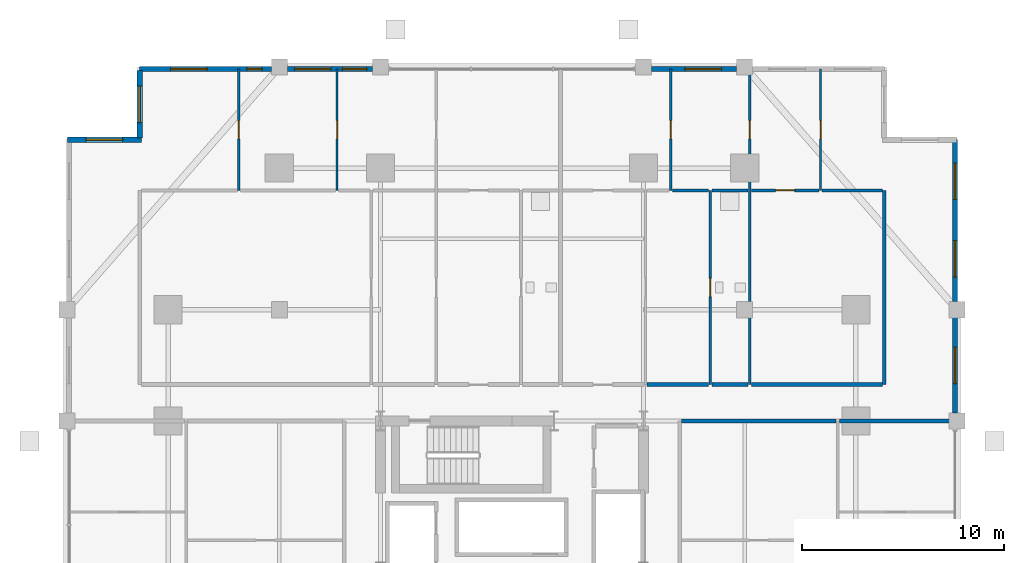
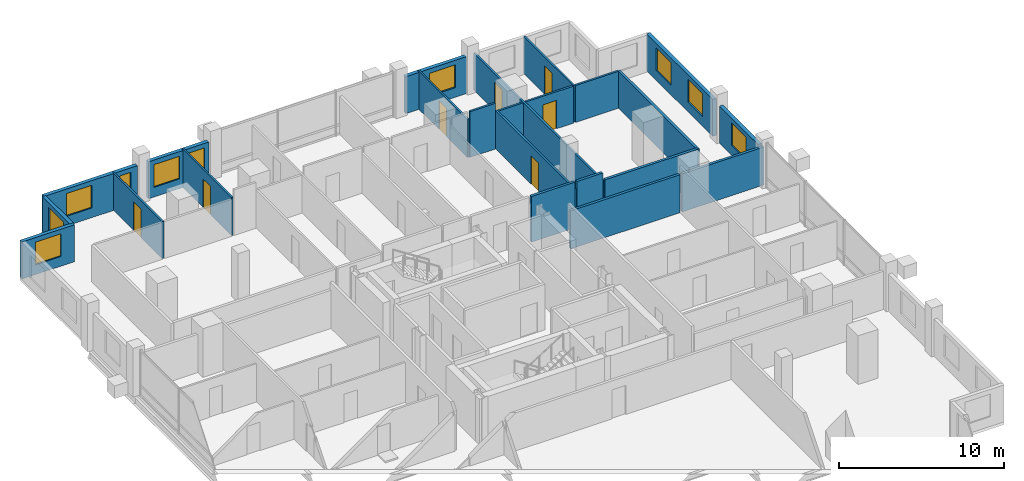
# One storey, part 20 of 23: 23 walls, 10 windows, 7 doors, 17 openings.
"""IFC4 building model written with IfcOpenShell, lengths in metres."""

from ifc_helpers import new_model, si_unit, direction, frame, frame_2d, origin, place, context, subcontext, project, spatial, rectangle, extrude, material, layer, layer_set, type_object, element, fill, save


model = new_model("IFC4")

# Units and contexts
model_context = context("Model", 3, precision=1e-05, world=origin(), true_north=direction((0.0, 1.0)))
body_context = subcontext(model_context, "Body", "Model", "MODEL_VIEW")
ifc_project = project(units=[si_unit("LENGTHUNIT", "METRE"), si_unit("AREAUNIT", "SQUARE_METRE"), si_unit("VOLUMEUNIT", "CUBIC_METRE"), si_unit("PLANEANGLEUNIT", "RADIAN"), si_unit("MASSUNIT", "GRAM", prefix="KILO")], contexts=[model_context])

# Site, building, storey
site_placement = place(None, origin())
site = spatial("IfcSite", under=ifc_project, at=site_placement, CompositionType="ELEMENT")
building_placement = place(site_placement, origin())
building = spatial("IfcBuilding", under=site, at=building_placement, Name="Barlavira Tower and Art Museum", CompositionType="ELEMENT")
storey_placement = place(building_placement, frame((0.0, 0.0, 64.800048828125)))
storey = spatial("IfcBuildingStorey", under=building, at=storey_placement, Name="L15", CompositionType="ELEMENT", Elevation=64.800048828125)

# Wall, opening, door
ifc_material_1 = material(Name="Gypsum acoustic stud partition", Category="gypsum")
ifc_layer_1 = layer(ifc_material_1, 0.1201171875, Name="Gypsum acoustic stud partition")
ifc_layer_set_1 = layer_set([ifc_layer_1], Name="Gypsum acoustic stud partition")
wall_type_1 = type_object("IfcWallType", Name="Apartment Internal Acoustic Partition 120", PredefinedType="PARTITIONING", material=ifc_layer_set_1)
wall_1_placement = place(storey_placement, frame((-13.5, 18.89990234375, 0.0), z_axis=(0.0, 0.0, 1.0), x_axis=(0.0, 1.0, 0.0)))
wall_1 = element("IfcWall", 1, at=wall_1_placement, inside=storey, type_object=wall_type_1, Name="L15 Partition Wall 3", PredefinedType="PARTITIONING", context=body_context, shape_type="SweptSolid", body=[
    extrude(rectangle(XDim=6.0, YDim=0.1201171875, at=frame_2d((3.0, 0.0))), origin(), (0.0, 0.0, 1.0), 2.73583984375),
])
opening_1_placement = place(wall_1_placement, frame((2.550048828125, 0.0, 0.0)))
opening_1 = element("IfcOpeningElement", 2, at=opening_1_placement, cuts=wall_1, Name="Opening D-01", PredefinedType="OPENING", context=body_context, shape_type="SweptSolid", body=[
    extrude(rectangle(XDim=0.89990234375, YDim=2.10009765625, at=frame_2d((0.449951171875, 1.050048828125))), frame((0.0, 0.070068359375, 0.0), z_axis=(0.0, -1.0, 0.0), x_axis=(1.0, 0.0, 0.0)), (0.0, 0.0, 1.0), 0.14013671875),
])
ifc_material_2 = material(Name="Engineered coastal hardwood", Category="wood")
door_type_1 = type_object("IfcDoorType", Name="Internal Bedroom Timber Flush Door 900x2100", OperationType="NOTDEFINED", PredefinedType="DOOR", material=ifc_material_2)
door_1_placement = place(opening_1_placement, origin())
door_1 = element("IfcDoor", 3, at=door_1_placement, inside=storey, type_object=door_type_1, Name="Apartment N1 Bedroom 3 Door", OperationType="SINGLE_SWING_LEFT", OverallHeight=2.10009765625, OverallWidth=0.89990234375, PredefinedType="DOOR", context=body_context, shape_type="SweptSolid", body=[
    extrude(rectangle(XDim=0.89990234375, YDim=2.10009765625, at=frame_2d((0.449951171875, 1.050048828125))), frame((0.0, 0.02490234375, 0.0), z_axis=(0.0, -1.0, 0.0), x_axis=(1.0, 0.0, 0.0)), (0.0, 0.0, 1.0), 0.050048828125),
])
fill(opening_1, door_1)

wall_2_placement = place(storey_placement, frame((-8.64990234375, 18.89990234375, 0.0), z_axis=(0.0, 0.0, 1.0), x_axis=(0.0, 1.0, 0.0)))
wall_2 = element("IfcWall", 4, at=wall_2_placement, inside=storey, type_object=wall_type_1, Name="L15 Partition Wall 4", PredefinedType="PARTITIONING", context=body_context, shape_type="SweptSolid", body=[
    extrude(rectangle(XDim=6.0, YDim=0.1201171875, at=frame_2d((3.0, 0.0))), origin(), (0.0, 0.0, 1.0), 2.81591796875),
])
opening_2_placement = place(wall_2_placement, frame((2.550048828125, 0.0, 0.0)))
opening_2 = element("IfcOpeningElement", 5, at=opening_2_placement, cuts=wall_2, Name="Opening D-01", PredefinedType="OPENING", context=body_context, shape_type="SweptSolid", body=[
    extrude(rectangle(XDim=0.89990234375, YDim=2.10009765625, at=frame_2d((0.449951171875, 1.050048828125))), frame((0.0, 0.070068359375, 0.0), z_axis=(0.0, -1.0, 0.0), x_axis=(1.0, 0.0, 0.0)), (0.0, 0.0, 1.0), 0.14013671875),
])
door_2_placement = place(opening_2_placement, origin())
door_2 = element("IfcDoor", 6, at=door_2_placement, inside=storey, type_object=door_type_1, Name="Apartment N1 Bedroom 2 Door", OperationType="SINGLE_SWING_RIGHT", OverallHeight=2.10009765625, OverallWidth=0.89990234375, PredefinedType="DOOR", context=body_context, shape_type="SweptSolid", body=[
    extrude(rectangle(XDim=0.89990234375, YDim=2.10009765625, at=frame_2d((0.449951171875, 1.050048828125))), frame((0.0, 0.02490234375, 0.0), z_axis=(0.0, -1.0, 0.0), x_axis=(1.0, 0.0, 0.0)), (0.0, 0.0, 1.0), 0.050048828125),
])
fill(opening_2, door_2)

wall_3_placement = place(storey_placement, frame((7.85009765625, 18.89990234375, 0.0), z_axis=(0.0, 0.0, 1.0), x_axis=(0.0, 1.0, 0.0)))
wall_3 = element("IfcWall", 7, at=wall_3_placement, inside=storey, type_object=wall_type_1, Name="L15 Partition Wall 13", PredefinedType="PARTITIONING", context=body_context, shape_type="SweptSolid", body=[
    extrude(rectangle(XDim=6.0, YDim=0.1201171875, at=frame_2d((3.0, 0.0))), origin(), (0.0, 0.0, 1.0), 2.81591796875),
])
opening_3_placement = place(wall_3_placement, frame((2.550048828125, 0.0, 0.0)))
opening_3 = element("IfcOpeningElement", 8, at=opening_3_placement, cuts=wall_3, Name="Opening D-01", PredefinedType="OPENING", context=body_context, shape_type="SweptSolid", body=[
    extrude(rectangle(XDim=0.89990234375, YDim=2.10009765625, at=frame_2d((0.449951171875, 1.050048828125))), frame((0.0, 0.070068359375, 0.0), z_axis=(0.0, -1.0, 0.0), x_axis=(1.0, 0.0, 0.0)), (0.0, 0.0, 1.0), 0.14013671875),
])
door_3_placement = place(opening_3_placement, origin())
door_3 = element("IfcDoor", 9, at=door_3_placement, inside=storey, type_object=door_type_1, Name="Apartment N2 Bedroom 1 Door", OperationType="SINGLE_SWING_LEFT", OverallHeight=2.10009765625, OverallWidth=0.89990234375, PredefinedType="DOOR", context=body_context, shape_type="SweptSolid", body=[
    extrude(rectangle(XDim=0.89990234375, YDim=2.10009765625, at=frame_2d((0.449951171875, 1.050048828125))), frame((0.0, 0.02490234375, 0.0), z_axis=(0.0, -1.0, 0.0), x_axis=(1.0, 0.0, 0.0)), (0.0, 0.0, 1.0), 0.050048828125),
])
fill(opening_3, door_3)

wall_4_placement = place(storey_placement, frame((15.25, 18.89990234375, 0.0), z_axis=(0.0, 0.0, 1.0), x_axis=(0.0, 1.0, 0.0)))
wall_4 = element("IfcWall", 10, at=wall_4_placement, inside=storey, type_object=wall_type_1, Name="L15 Partition Wall 18", PredefinedType="PARTITIONING", context=body_context, shape_type="SweptSolid", body=[
    extrude(rectangle(XDim=6.0, YDim=0.1201171875, at=frame_2d((3.0, 0.0))), origin(), (0.0, 0.0, 1.0), 2.73583984375),
])
opening_4_placement = place(wall_4_placement, frame((2.550048828125, 0.0, 0.0)))
opening_4 = element("IfcOpeningElement", 11, at=opening_4_placement, cuts=wall_4, Name="Opening D-01", PredefinedType="OPENING", context=body_context, shape_type="SweptSolid", body=[
    extrude(rectangle(XDim=0.89990234375, YDim=2.10009765625, at=frame_2d((0.449951171875, 1.050048828125))), frame((0.0, 0.070068359375, 0.0), z_axis=(0.0, -1.0, 0.0), x_axis=(1.0, 0.0, 0.0)), (0.0, 0.0, 1.0), 0.14013671875),
])
door_4_placement = place(opening_4_placement, origin())
door_4 = element("IfcDoor", 12, at=door_4_placement, inside=storey, type_object=door_type_1, Name="Apartment N2 Bedroom 3 Door", OperationType="SINGLE_SWING_LEFT", OverallHeight=2.10009765625, OverallWidth=0.89990234375, PredefinedType="DOOR", context=body_context, shape_type="SweptSolid", body=[
    extrude(rectangle(XDim=0.89990234375, YDim=2.10009765625, at=frame_2d((0.449951171875, 1.050048828125))), frame((0.0, 0.02490234375, 0.0), z_axis=(0.0, -1.0, 0.0), x_axis=(1.0, 0.0, 0.0)), (0.0, 0.0, 1.0), 0.050048828125),
])
fill(opening_4, door_4)

# Walls
ifc_layer_2 = layer(ifc_material_1, 0.179931640625, Name="Gypsum acoustic stud partition")
ifc_layer_set_2 = layer_set([ifc_layer_2], Name="Gypsum acoustic stud partition")
wall_type_2 = type_object("IfcWallType", Name="Inter-Tenancy Party Partition Wall 180", PredefinedType="PARTITIONING", material=ifc_layer_set_2)
wall_5_placement = place(storey_placement, frame((18.39990234375, 9.300048828125, 0.0), z_axis=(0.0, 0.0, 1.0), x_axis=(0.0, 1.0, 0.0)))
element("IfcWall", 13, at=wall_5_placement, inside=storey, type_object=wall_type_2, Name="L15 Partition Wall 20", PredefinedType="PARTITIONING", context=body_context, shape_type="SweptSolid", body=[
    extrude(rectangle(XDim=9.599853515625, YDim=0.179931640625, at=frame_2d((4.7998046875, 0.0))), origin(), (0.0, 0.0, 1.0), 2.73583984375),
])
wall_6_placement = place(storey_placement, frame((8.3798828125, 7.5, 0.0), z_axis=(0.0, 0.0, 1.0), x_axis=(1.0, 0.0, 0.0)))
element("IfcWall", 14, at=wall_6_placement, inside=storey, type_object=wall_type_2, Name="L15 Partition Wall 41", PredefinedType="PARTITIONING", context=body_context, shape_type="SweptSolid", body=[
    extrude(rectangle(XDim=7.64013671875, YDim=0.179931640625, at=frame_2d((3.820068359375, 0.0))), origin(), (0.0, 0.0, 1.0), 2.81591796875),
])
wall_7_placement = place(storey_placement, frame((16.179931640625, 7.5, 0.0), z_axis=(0.0, 0.0, 1.0), x_axis=(1.0, 0.0, 0.0)))
element("IfcWall", 15, at=wall_7_placement, inside=storey, type_object=wall_type_2, Name="L15 Partition Wall 42", PredefinedType="PARTITIONING", context=body_context, shape_type="SweptSolid", body=[
    extrude(rectangle(XDim=5.719970703125, YDim=0.179931640625, at=frame_2d((2.85986328125, 0.0))), origin(), (0.0, 0.0, 1.0), 2.81591796875),
])
wall_8_placement = place(storey_placement, frame((6.679931640625, 9.300048828125, 0.0), z_axis=(0.0, 0.0, 1.0), x_axis=(1.0, 0.0, 0.0)))
element("IfcWall", 16, at=wall_8_placement, inside=storey, type_object=wall_type_2, Name="L15 Partition Wall 48", PredefinedType="PARTITIONING", context=body_context, shape_type="SweptSolid", body=[
    extrude(rectangle(XDim=3.0400390625, YDim=0.179931640625, at=frame_2d((1.52001953125, 0.0))), origin(), (0.0, 0.0, 1.0), 3.3798828125),
])
wall_9_placement = place(storey_placement, frame((9.8798828125, 9.300048828125, 0.0), z_axis=(0.0, 0.0, 1.0), x_axis=(1.0, 0.0, 0.0)))
element("IfcWall", 17, at=wall_9_placement, inside=storey, type_object=wall_type_2, Name="L15 Partition Wall 49", PredefinedType="PARTITIONING", context=body_context, shape_type="SweptSolid", body=[
    extrude(rectangle(XDim=1.7900390625, YDim=0.179931640625, at=frame_2d((0.89501953125, 0.0))), origin(), (0.0, 0.0, 1.0), 3.3798828125),
])
wall_10_placement = place(storey_placement, frame((11.830078125, 9.300048828125, 0.0), z_axis=(0.0, 0.0, 1.0), x_axis=(1.0, 0.0, 0.0)))
element("IfcWall", 18, at=wall_10_placement, inside=storey, type_object=wall_type_2, Name="L15 Partition Wall 50", PredefinedType="PARTITIONING", context=body_context, shape_type="SweptSolid", body=[
    extrude(rectangle(XDim=6.489990234375, YDim=0.179931640625, at=frame_2d((3.2451171875, 0.0))), origin(), (0.0, 0.0, 1.0), 2.81591796875),
])

# Wall, opening, door
ifc_layer_3 = layer(ifc_material_1, 0.139892578125, Name="Gypsum acoustic stud partition")
ifc_layer_set_3 = layer_set([ifc_layer_3], Name="Gypsum acoustic stud partition")
wall_type_3 = type_object("IfcWallType", Name="Moisture-Resistant Bathroom Partition 140", PredefinedType="PARTITIONING", material=ifc_layer_set_3)
wall_11_placement = place(storey_placement, frame((9.800048828125, 9.300048828125, 0.0), z_axis=(0.0, 0.0, 1.0), x_axis=(0.0, 1.0, 0.0)))
wall_11 = element("IfcWall", 19, at=wall_11_placement, inside=storey, type_object=wall_type_3, Name="L15 Partition Wall 15", PredefinedType="PARTITIONING", context=body_context, shape_type="SweptSolid", body=[
    extrude(rectangle(XDim=9.599853515625, YDim=0.139892578125, at=frame_2d((4.7998046875, 0.0))), origin(), (0.0, 0.0, 1.0), 2.81591796875),
])
opening_5_placement = place(wall_11_placement, frame((4.35009765625, 0.0, 0.0)))
opening_5 = element("IfcOpeningElement", 20, at=opening_5_placement, cuts=wall_11, Name="Opening D-WC", PredefinedType="OPENING", context=body_context, shape_type="SweptSolid", body=[
    extrude(rectangle(XDim=0.89990234375, YDim=2.10009765625, at=frame_2d((0.449951171875, 1.050048828125))), frame((0.0, 0.080078125, 0.0), z_axis=(0.0, -1.0, 0.0), x_axis=(1.0, 0.0, 0.0)), (0.0, 0.0, 1.0), 0.159912109375),
])
door_type_2 = type_object("IfcDoorType", Name="Accessible Bathroom Flush Door 900x2100", OperationType="NOTDEFINED", PredefinedType="DOOR", material=ifc_material_2)
door_5_placement = place(opening_5_placement, origin())
door_5 = element("IfcDoor", 21, at=door_5_placement, inside=storey, type_object=door_type_2, Name="Apartment N2 Hall Bathroom Door", OperationType="SINGLE_SWING_RIGHT", OverallHeight=2.10009765625, OverallWidth=0.89990234375, PredefinedType="DOOR", context=body_context, shape_type="SweptSolid", body=[
    extrude(rectangle(XDim=0.89990234375, YDim=2.10009765625, at=frame_2d((0.449951171875, 1.050048828125))), frame((0.0, 0.02490234375, 0.0), z_axis=(0.0, -1.0, 0.0), x_axis=(1.0, 0.0, 0.0)), (0.0, 0.0, 1.0), 0.050048828125),
])
fill(opening_5, door_5)

wall_12_placement = place(storey_placement, frame((11.75, 9.300048828125, 0.0), z_axis=(0.0, 0.0, 1.0), x_axis=(0.0, 1.0, 0.0)))
wall_12 = element("IfcWall", 22, at=wall_12_placement, inside=storey, type_object=wall_type_3, Name="L15 Partition Wall 17", PredefinedType="PARTITIONING", context=body_context, shape_type="SweptSolid", body=[
    extrude(rectangle(XDim=15.599853515625, YDim=0.139892578125, at=frame_2d((7.7998046875, 0.0))), origin(), (0.0, 0.0, 1.0), 2.73583984375),
])
opening_6_placement = place(wall_12_placement, frame((12.14990234375, 0.0, 0.0)))
opening_6 = element("IfcOpeningElement", 23, at=opening_6_placement, cuts=wall_12, Name="Opening D-01", PredefinedType="OPENING", context=body_context, shape_type="SweptSolid", body=[
    extrude(rectangle(XDim=0.89990234375, YDim=2.10009765625, at=frame_2d((0.449951171875, 1.050048828125))), frame((0.0, 0.080078125, 0.0), z_axis=(0.0, -1.0, 0.0), x_axis=(1.0, 0.0, 0.0)), (0.0, 0.0, 1.0), 0.159912109375),
])
door_6_placement = place(opening_6_placement, origin())
door_6 = element("IfcDoor", 24, at=door_6_placement, inside=storey, type_object=door_type_1, Name="Apartment N2 Bedroom 2 Door", OperationType="SINGLE_SWING_RIGHT", OverallHeight=2.10009765625, OverallWidth=0.89990234375, PredefinedType="DOOR", context=body_context, shape_type="SweptSolid", body=[
    extrude(rectangle(XDim=0.89990234375, YDim=2.10009765625, at=frame_2d((0.449951171875, 1.050048828125))), frame((0.0, 0.02490234375, 0.0), z_axis=(0.0, -1.0, 0.0), x_axis=(1.0, 0.0, 0.0)), (0.0, 0.0, 1.0), 0.050048828125),
])
fill(opening_6, door_6)

# Walls
wall_13_placement = place(storey_placement, frame((7.929931640625, 18.89990234375, 0.0), z_axis=(0.0, 0.0, 1.0), x_axis=(1.0, 0.0, 0.0)))
element("IfcWall", 25, at=wall_13_placement, inside=storey, type_object=wall_type_3, Name="L15 Partition Wall 59", PredefinedType="PARTITIONING", context=body_context, shape_type="SweptSolid", body=[
    extrude(rectangle(XDim=1.7900390625, YDim=0.139892578125, at=frame_2d((0.89501953125, 0.0))), origin(), (0.0, 0.0, 1.0), 3.3798828125),
])
wall_14_placement = place(storey_placement, frame((9.8798828125, 18.89990234375, 0.0), z_axis=(0.0, 0.0, 1.0), x_axis=(1.0, 0.0, 0.0)))
element("IfcWall", 26, at=wall_14_placement, inside=storey, type_object=wall_type_3, Name="L15 Partition Wall 60", PredefinedType="PARTITIONING", context=body_context, shape_type="SweptSolid", body=[
    extrude(rectangle(XDim=1.7900390625, YDim=0.139892578125, at=frame_2d((0.89501953125, 0.0))), origin(), (0.0, 0.0, 1.0), 2.73583984375),
])

# Wall, opening, door
wall_15_placement = place(storey_placement, frame((11.830078125, 18.89990234375, 0.0), z_axis=(0.0, 0.0, 1.0), x_axis=(1.0, 0.0, 0.0)))
wall_15 = element("IfcWall", 27, at=wall_15_placement, inside=storey, type_object=wall_type_3, Name="L15 Partition Wall 61", PredefinedType="PARTITIONING", context=body_context, shape_type="SweptSolid", body=[
    extrude(rectangle(XDim=3.33984375, YDim=0.139892578125, at=frame_2d((1.669921875, 0.0))), origin(), (0.0, 0.0, 1.0), 2.73583984375),
])
opening_7_placement = place(wall_15_placement, frame((1.195068359375, 0.0, 0.0)))
opening_7 = element("IfcOpeningElement", 28, at=opening_7_placement, cuts=wall_15, Name="Opening D-02", PredefinedType="OPENING", context=body_context, shape_type="SweptSolid", body=[
    extrude(rectangle(XDim=0.949951171875, YDim=2.10009765625, at=frame_2d((0.47509765625, 1.050048828125))), frame((0.0, 0.080078125, 0.0), z_axis=(0.0, -1.0, 0.0), x_axis=(1.0, 0.0, 0.0)), (0.0, 0.0, 1.0), 0.159912109375),
])
door_type_3 = type_object("IfcDoorType", Name="Living and Salon Glazed-Leaf Door 950x2100", OperationType="NOTDEFINED", PredefinedType="DOOR", material=ifc_material_2)
door_7_placement = place(opening_7_placement, origin())
door_7 = element("IfcDoor", 29, at=door_7_placement, inside=storey, type_object=door_type_3, Name="Apartment N2 Dining Salon Door", OperationType="SINGLE_SWING_LEFT", OverallHeight=2.10009765625, OverallWidth=0.949951171875, PredefinedType="DOOR", context=body_context, shape_type="SweptSolid", body=[
    extrude(rectangle(XDim=0.949951171875, YDim=2.10009765625, at=frame_2d((0.47509765625, 1.050048828125))), frame((0.0, 0.02490234375, 0.0), z_axis=(0.0, -1.0, 0.0), x_axis=(1.0, 0.0, 0.0)), (0.0, 0.0, 1.0), 0.050048828125),
])
fill(opening_7, door_7)

# Wall
wall_16_placement = place(storey_placement, frame((15.330078125, 18.89990234375, 0.0), z_axis=(0.0, 0.0, 1.0), x_axis=(1.0, 0.0, 0.0)))
element("IfcWall", 30, at=wall_16_placement, inside=storey, type_object=wall_type_3, Name="L15 Partition Wall 62", PredefinedType="PARTITIONING", context=body_context, shape_type="SweptSolid", body=[
    extrude(rectangle(XDim=2.989990234375, YDim=0.139892578125, at=frame_2d((1.4951171875, 0.0))), origin(), (0.0, 0.0, 1.0), 2.73583984375),
])

# Wall, opening, window
ifc_material_3 = material(Name="Precast concrete C40", Category="concrete")
ifc_layer_4 = layer(ifc_material_3, 0.25, Name="Precast concrete C40")
ifc_layer_set_4 = layer_set([ifc_layer_4], Name="Precast concrete C40")
wall_type_4 = type_object("IfcWallType", Name="Notched Corner Spandrel Wall 250 Precast Concrete C40", PredefinedType="SOLIDWALL", material=ifc_layer_set_4)
wall_17_placement = place(storey_placement, frame((11.10498046875, 24.89990234375, 0.0), z_axis=(0.0, 0.0, 1.0), x_axis=(-1.0, 0.0, 0.0)))
wall_17 = element("IfcWall", 31, at=wall_17_placement, inside=storey, type_object=wall_type_4, Name="L15 Coastal Facade Pier Wall CW1-L15-N-2", PredefinedType="SOLIDWALL", context=body_context, shape_type="SweptSolid", body=[
    extrude(rectangle(XDim=4.2099609375, YDim=0.25, at=frame_2d((2.10498046875, 0.0))), origin(), (0.0, 0.0, 1.0), 2.73583984375),
])
opening_8_placement = place(wall_17_placement, frame((0.760009765625, 0.0, 0.719970703125)))
opening_8 = element("IfcOpeningElement", 32, at=opening_8_placement, cuts=wall_17, Name="Opening WN-01", PredefinedType="OPENING", context=body_context, shape_type="SweptSolid", body=[
    extrude(rectangle(XDim=1.800048828125, YDim=1.679931640625, at=frame_2d((0.89990234375, 0.83984375))), frame((0.0, 0.135009765625, 0.0), z_axis=(0.0, -1.0, 0.0), x_axis=(1.0, 0.0, 0.0)), (0.0, 0.0, 1.0), 0.27001953125),
])
ifc_material_4 = material(Name="Low-iron coastal laminated glass", Category="glass")
window_type_1 = type_object("IfcWindowType", Name="Recessed Notch Corner Punch Window 1800x1680", PartitioningType="SINGLE_PANEL", PredefinedType="WINDOW", material=ifc_material_4)
window_1_placement = place(opening_8_placement, origin())
window_1 = element("IfcWindow", 33, at=window_1_placement, inside=storey, type_object=window_type_1, Name="L15 Punched Facade Window EWP-CW1-L15-N-2-1", OverallHeight=1.679931640625, OverallWidth=1.800048828125, PartitioningType="SINGLE_PANEL", PredefinedType="WINDOW", context=body_context, shape_type="SweptSolid", body=[
    extrude(rectangle(XDim=1.800048828125, YDim=1.679931640625, at=frame_2d((0.89990234375, 0.83984375))), frame((0.0, 0.030029296875, 0.0), z_axis=(0.0, -1.0, 0.0), x_axis=(1.0, 0.0, 0.0)), (0.0, 0.0, 1.0), 0.06005859375),
])
fill(opening_8, window_1)

# Wall, openings, windows
wall_18_placement = place(storey_placement, frame((-6.89501953125, 24.89990234375, 0.0), z_axis=(0.0, 0.0, 1.0), x_axis=(-1.0, 0.0, 0.0)))
wall_18 = element("IfcWall", 34, at=wall_18_placement, inside=storey, type_object=wall_type_4, Name="L15 Coastal Facade Pier Wall CW1-L15-N-4", PredefinedType="SOLIDWALL", context=body_context, shape_type="SweptSolid", body=[
    extrude(rectangle(XDim=4.2099609375, YDim=0.25, at=frame_2d((2.10498046875, 0.0))), origin(), (0.0, 0.0, 1.0), 2.73583984375),
])
opening_9_placement = place(wall_18_placement, frame((0.294921875, 0.0, 0.719970703125)))
opening_9 = element("IfcOpeningElement", 35, at=opening_9_placement, cuts=wall_18, Name="Opening WN-05", PredefinedType="OPENING", context=body_context, shape_type="SweptSolid", body=[
    extrude(rectangle(XDim=1.199951171875, YDim=1.679931640625, at=frame_2d((0.60009765625, 0.83984375))), frame((0.0, 0.135009765625, 0.0), z_axis=(0.0, -1.0, 0.0), x_axis=(1.0, 0.0, 0.0)), (0.0, 0.0, 1.0), 0.27001953125),
])
opening_10_placement = place(wall_18_placement, frame((2.054931640625, 0.0, 0.719970703125)))
opening_10 = element("IfcOpeningElement", 36, at=opening_10_placement, cuts=wall_18, Name="Opening WN-01", PredefinedType="OPENING", context=body_context, shape_type="SweptSolid", body=[
    extrude(rectangle(XDim=1.800048828125, YDim=1.679931640625, at=frame_2d((0.89990234375, 0.83984375))), frame((0.0, 0.135009765625, 0.0), z_axis=(0.0, -1.0, 0.0), x_axis=(1.0, 0.0, 0.0)), (0.0, 0.0, 1.0), 0.27001953125),
])
window_type_2 = type_object("IfcWindowType", Name="Recessed Flank Pier Punch Window 1200x1680", PartitioningType="SINGLE_PANEL", PredefinedType="WINDOW", material=ifc_material_4)
window_2_placement = place(opening_9_placement, origin())
window_2 = element("IfcWindow", 37, at=window_2_placement, inside=storey, type_object=window_type_2, Name="L15 Punched Facade Window EWP-CW1-L15-N-4-1", OverallHeight=1.679931640625, OverallWidth=1.199951171875, PartitioningType="SINGLE_PANEL", PredefinedType="WINDOW", context=body_context, shape_type="SweptSolid", body=[
    extrude(rectangle(XDim=1.199951171875, YDim=1.679931640625, at=frame_2d((0.60009765625, 0.83984375))), frame((0.0, 0.030029296875, 0.0), z_axis=(0.0, -1.0, 0.0), x_axis=(1.0, 0.0, 0.0)), (0.0, 0.0, 1.0), 0.06005859375),
])
fill(opening_9, window_2)
window_3_placement = place(opening_10_placement, origin())
window_3 = element("IfcWindow", 38, at=window_3_placement, inside=storey, type_object=window_type_1, Name="L15 Punched Facade Window EWP-CW1-L15-N-4-2", OverallHeight=1.679931640625, OverallWidth=1.800048828125, PartitioningType="SINGLE_PANEL", PredefinedType="WINDOW", context=body_context, shape_type="SweptSolid", body=[
    extrude(rectangle(XDim=1.800048828125, YDim=1.679931640625, at=frame_2d((0.89990234375, 0.83984375))), frame((0.0, 0.030029296875, 0.0), z_axis=(0.0, -1.0, 0.0), x_axis=(1.0, 0.0, 0.0)), (0.0, 0.0, 1.0), 0.06005859375),
])
fill(opening_10, window_3)

wall_19_placement = place(storey_placement, frame((-11.89501953125, 24.89990234375, 0.0), z_axis=(0.0, 0.0, 1.0), x_axis=(-1.0, 0.0, 0.0)))
wall_19 = element("IfcWall", 39, at=wall_19_placement, inside=storey, type_object=wall_type_4, Name="L15 Coastal Facade Pier Wall CW1-L15-N-5", PredefinedType="SOLIDWALL", context=body_context, shape_type="SweptSolid", body=[
    extrude(rectangle(XDim=6.530029296875, YDim=0.25, at=frame_2d((3.26513671875, 0.0))), origin(), (0.0, 0.0, 1.0), 2.73583984375),
])
opening_11_placement = place(wall_19_placement, frame((0.455078125, 0.0, 0.719970703125)))
opening_11 = element("IfcOpeningElement", 40, at=opening_11_placement, cuts=wall_19, Name="Opening WN-06", PredefinedType="OPENING", context=body_context, shape_type="SweptSolid", body=[
    extrude(rectangle(XDim=0.760009765625, YDim=1.679931640625, at=frame_2d((0.3798828125, 0.83984375))), frame((0.0, 0.135009765625, 0.0), z_axis=(0.0, -1.0, 0.0), x_axis=(1.0, 0.0, 0.0)), (0.0, 0.0, 1.0), 0.27001953125),
])
opening_12_placement = place(wall_19_placement, frame((3.177978515625, 0.0, 0.719970703125)))
opening_12 = element("IfcOpeningElement", 41, at=opening_12_placement, cuts=wall_19, Name="Opening WN-01", PredefinedType="OPENING", context=body_context, shape_type="SweptSolid", body=[
    extrude(rectangle(XDim=1.800048828125, YDim=1.679931640625, at=frame_2d((0.89990234375, 0.83984375))), frame((0.0, 0.135009765625, 0.0), z_axis=(0.0, -1.0, 0.0), x_axis=(1.0, 0.0, 0.0)), (0.0, 0.0, 1.0), 0.27001953125),
])
window_type_3 = type_object("IfcWindowType", Name="Recessed Narrow Pier Window 760x1680", PartitioningType="SINGLE_PANEL", PredefinedType="WINDOW", material=ifc_material_4)
window_4_placement = place(opening_11_placement, origin())
window_4 = element("IfcWindow", 42, at=window_4_placement, inside=storey, type_object=window_type_3, Name="L15 Punched Facade Window EWP-CW1-L15-N-5-1", OverallHeight=1.679931640625, OverallWidth=0.760009765625, PartitioningType="SINGLE_PANEL", PredefinedType="WINDOW", context=body_context, shape_type="SweptSolid", body=[
    extrude(rectangle(XDim=0.760009765625, YDim=1.679931640625, at=frame_2d((0.3798828125, 0.83984375))), frame((0.0, 0.030029296875, 0.0), z_axis=(0.0, -1.0, 0.0), x_axis=(1.0, 0.0, 0.0)), (0.0, 0.0, 1.0), 0.06005859375),
])
fill(opening_11, window_4)
window_5_placement = place(opening_12_placement, origin())
window_5 = element("IfcWindow", 43, at=window_5_placement, inside=storey, type_object=window_type_1, Name="L15 Punched Facade Window EWP-CW1-L15-N-5-2", OverallHeight=1.679931640625, OverallWidth=1.800048828125, PartitioningType="SINGLE_PANEL", PredefinedType="WINDOW", context=body_context, shape_type="SweptSolid", body=[
    extrude(rectangle(XDim=1.800048828125, YDim=1.679931640625, at=frame_2d((0.89990234375, 0.83984375))), frame((0.0, 0.030029296875, 0.0), z_axis=(0.0, -1.0, 0.0), x_axis=(1.0, 0.0, 0.0)), (0.0, 0.0, 1.0), 0.06005859375),
])
fill(opening_12, window_5)

# Wall, opening, window
wall_20_placement = place(storey_placement, frame((21.89990234375, 7.89501953125, 0.0), z_axis=(0.0, 0.0, 1.0), x_axis=(0.0, 1.0, 0.0)))
wall_20 = element("IfcWall", 44, at=wall_20_placement, inside=storey, type_object=wall_type_4, Name="L15 Coastal Facade Pier Wall CW1-L15-E-4", PredefinedType="SOLIDWALL", context=body_context, shape_type="SweptSolid", body=[
    extrude(rectangle(XDim=4.7099609375, YDim=0.25, at=frame_2d((2.35498046875, 0.0))), origin(), (0.0, 0.0, 1.0), 2.73583984375),
])
opening_13_placement = place(wall_20_placement, frame((1.455078125, 0.0, 0.719970703125)))
opening_13 = element("IfcOpeningElement", 45, at=opening_13_placement, cuts=wall_20, Name="Opening WN-01", PredefinedType="OPENING", context=body_context, shape_type="SweptSolid", body=[
    extrude(rectangle(XDim=1.800048828125, YDim=1.679931640625, at=frame_2d((0.89990234375, 0.83984375))), frame((0.0, 0.135009765625, 0.0), z_axis=(0.0, -1.0, 0.0), x_axis=(1.0, 0.0, 0.0)), (0.0, 0.0, 1.0), 0.27001953125),
])
window_6_placement = place(opening_13_placement, origin())
window_6 = element("IfcWindow", 46, at=window_6_placement, inside=storey, type_object=window_type_1, Name="L15 Punched Facade Window EWP-CW1-L15-E-4-1", OverallHeight=1.679931640625, OverallWidth=1.800048828125, PartitioningType="SINGLE_PANEL", PredefinedType="WINDOW", context=body_context, shape_type="SweptSolid", body=[
    extrude(rectangle(XDim=1.800048828125, YDim=1.679931640625, at=frame_2d((0.89990234375, 0.83984375))), frame((0.0, 0.030029296875, 0.0), z_axis=(0.0, -1.0, 0.0), x_axis=(1.0, 0.0, 0.0)), (0.0, 0.0, 1.0), 0.06005859375),
])
fill(opening_13, window_6)

# Wall, openings, windows
wall_21_placement = place(storey_placement, frame((21.89990234375, 13.39501953125, 0.0), z_axis=(0.0, 0.0, 1.0), x_axis=(0.0, 1.0, 0.0)))
wall_21 = element("IfcWall", 47, at=wall_21_placement, inside=storey, type_object=wall_type_4, Name="L15 Coastal Facade Pier Wall CW1-L15-E-5", PredefinedType="SOLIDWALL", context=body_context, shape_type="SweptSolid", body=[
    extrude(rectangle(XDim=8.030029296875, YDim=0.25, at=frame_2d((4.01513671875, 0.0))), origin(), (0.0, 0.0, 1.0), 2.73583984375),
])
opening_14_placement = place(wall_21_placement, frame((1.220947265625, 0.0, 0.719970703125)))
opening_14 = element("IfcOpeningElement", 48, at=opening_14_placement, cuts=wall_21, Name="Opening WN-01", PredefinedType="OPENING", context=body_context, shape_type="SweptSolid", body=[
    extrude(rectangle(XDim=1.800048828125, YDim=1.679931640625, at=frame_2d((0.89990234375, 0.83984375))), frame((0.0, 0.135009765625, 0.0), z_axis=(0.0, -1.0, 0.0), x_axis=(1.0, 0.0, 0.0)), (0.0, 0.0, 1.0), 0.27001953125),
])
opening_15_placement = place(wall_21_placement, frame((5.053955078125, 0.0, 0.719970703125)))
opening_15 = element("IfcOpeningElement", 49, at=opening_15_placement, cuts=wall_21, Name="Opening WN-01", PredefinedType="OPENING", context=body_context, shape_type="SweptSolid", body=[
    extrude(rectangle(XDim=1.800048828125, YDim=1.679931640625, at=frame_2d((0.89990234375, 0.83984375))), frame((0.0, 0.135009765625, 0.0), z_axis=(0.0, -1.0, 0.0), x_axis=(1.0, 0.0, 0.0)), (0.0, 0.0, 1.0), 0.27001953125),
])
window_7_placement = place(opening_14_placement, origin())
window_7 = element("IfcWindow", 50, at=window_7_placement, inside=storey, type_object=window_type_1, Name="L15 Punched Facade Window EWP-CW1-L15-E-5-1", OverallHeight=1.679931640625, OverallWidth=1.800048828125, PartitioningType="SINGLE_PANEL", PredefinedType="WINDOW", context=body_context, shape_type="SweptSolid", body=[
    extrude(rectangle(XDim=1.800048828125, YDim=1.679931640625, at=frame_2d((0.89990234375, 0.83984375))), frame((0.0, 0.030029296875, 0.0), z_axis=(0.0, -1.0, 0.0), x_axis=(1.0, 0.0, 0.0)), (0.0, 0.0, 1.0), 0.06005859375),
])
fill(opening_14, window_7)
window_8_placement = place(opening_15_placement, origin())
window_8 = element("IfcWindow", 51, at=window_8_placement, inside=storey, type_object=window_type_1, Name="L15 Punched Facade Window EWP-CW1-L15-E-5-2", OverallHeight=1.679931640625, OverallWidth=1.800048828125, PartitioningType="SINGLE_PANEL", PredefinedType="WINDOW", context=body_context, shape_type="SweptSolid", body=[
    extrude(rectangle(XDim=1.800048828125, YDim=1.679931640625, at=frame_2d((0.89990234375, 0.83984375))), frame((0.0, 0.030029296875, 0.0), z_axis=(0.0, -1.0, 0.0), x_axis=(1.0, 0.0, 0.0)), (0.0, 0.0, 1.0), 0.06005859375),
])
fill(opening_15, window_8)

# Wall, opening, window
wall_22_placement = place(storey_placement, frame((-18.39990234375, 24.820068359375, 0.0), z_axis=(0.0, 0.0, 1.0), x_axis=(0.0, -1.0, 0.0)))
wall_22 = element("IfcWall", 52, at=wall_22_placement, inside=storey, type_object=wall_type_4, Name="L15 Notch Corner Wall NW1", PredefinedType="SOLIDWALL", context=body_context, shape_type="SweptSolid", body=[
    extrude(rectangle(XDim=3.340087890625, YDim=0.25, at=frame_2d((1.669921875, 0.0))), origin(), (0.0, 0.0, 1.0), 2.73583984375),
])
opening_16_placement = place(wall_22_placement, frame((0.77001953125, 0.0, 0.719970703125)))
opening_16 = element("IfcOpeningElement", 53, at=opening_16_placement, cuts=wall_22, Name="Opening WN-01", PredefinedType="OPENING", context=body_context, shape_type="SweptSolid", body=[
    extrude(rectangle(XDim=1.800048828125, YDim=1.679931640625, at=frame_2d((0.89990234375, 0.83984375))), frame((0.0, 0.135009765625, 0.0), z_axis=(0.0, -1.0, 0.0), x_axis=(1.0, 0.0, 0.0)), (0.0, 0.0, 1.0), 0.27001953125),
])
window_9_placement = place(opening_16_placement, origin())
window_9 = element("IfcWindow", 54, at=window_9_placement, inside=storey, type_object=window_type_1, Name="L15 Punched Facade Window EW-NTC-L15-NW1-1", OverallHeight=1.679931640625, OverallWidth=1.800048828125, PartitioningType="SINGLE_PANEL", PredefinedType="WINDOW", context=body_context, shape_type="SweptSolid", body=[
    extrude(rectangle(XDim=1.800048828125, YDim=1.679931640625, at=frame_2d((0.89990234375, 0.83984375))), frame((0.0, 0.030029296875, 0.0), z_axis=(0.0, -1.0, 0.0), x_axis=(1.0, 0.0, 0.0)), (0.0, 0.0, 1.0), 0.06005859375),
])
fill(opening_16, window_9)

wall_23_placement = place(storey_placement, frame((-18.320068359375, 21.39990234375, 0.0), z_axis=(0.0, 0.0, 1.0), x_axis=(-1.0, 0.0, 0.0)))
wall_23 = element("IfcWall", 55, at=wall_23_placement, inside=storey, type_object=wall_type_4, Name="L15 Notch Corner Wall NW2", PredefinedType="SOLIDWALL", context=body_context, shape_type="SweptSolid", body=[
    extrude(rectangle(XDim=3.659912109375, YDim=0.25, at=frame_2d((1.830078125, 0.0))), origin(), (0.0, 0.0, 1.0), 2.73583984375),
])
opening_17_placement = place(wall_23_placement, frame((0.929931640625, 0.0, 0.719970703125)))
opening_17 = element("IfcOpeningElement", 56, at=opening_17_placement, cuts=wall_23, Name="Opening WN-01", PredefinedType="OPENING", context=body_context, shape_type="SweptSolid", body=[
    extrude(rectangle(XDim=1.800048828125, YDim=1.679931640625, at=frame_2d((0.89990234375, 0.83984375))), frame((0.0, 0.135009765625, 0.0), z_axis=(0.0, -1.0, 0.0), x_axis=(1.0, 0.0, 0.0)), (0.0, 0.0, 1.0), 0.27001953125),
])
window_10_placement = place(opening_17_placement, origin())
window_10 = element("IfcWindow", 57, at=window_10_placement, inside=storey, type_object=window_type_1, Name="L15 Punched Facade Window EW-NTC-L15-NW2-1", OverallHeight=1.679931640625, OverallWidth=1.800048828125, PartitioningType="SINGLE_PANEL", PredefinedType="WINDOW", context=body_context, shape_type="SweptSolid", body=[
    extrude(rectangle(XDim=1.800048828125, YDim=1.679931640625, at=frame_2d((0.89990234375, 0.83984375))), frame((0.0, 0.030029296875, 0.0), z_axis=(0.0, -1.0, 0.0), x_axis=(1.0, 0.0, 0.0)), (0.0, 0.0, 1.0), 0.06005859375),
])
fill(opening_17, window_10)

save(model, "model.ifc")
